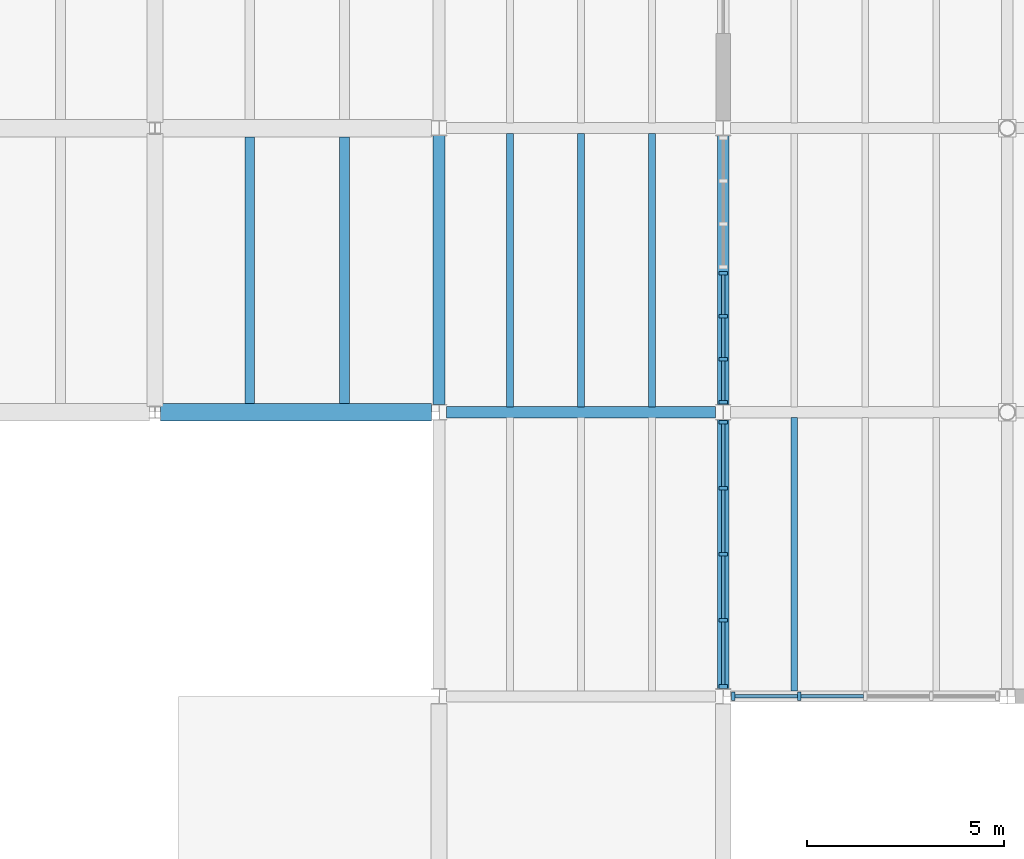
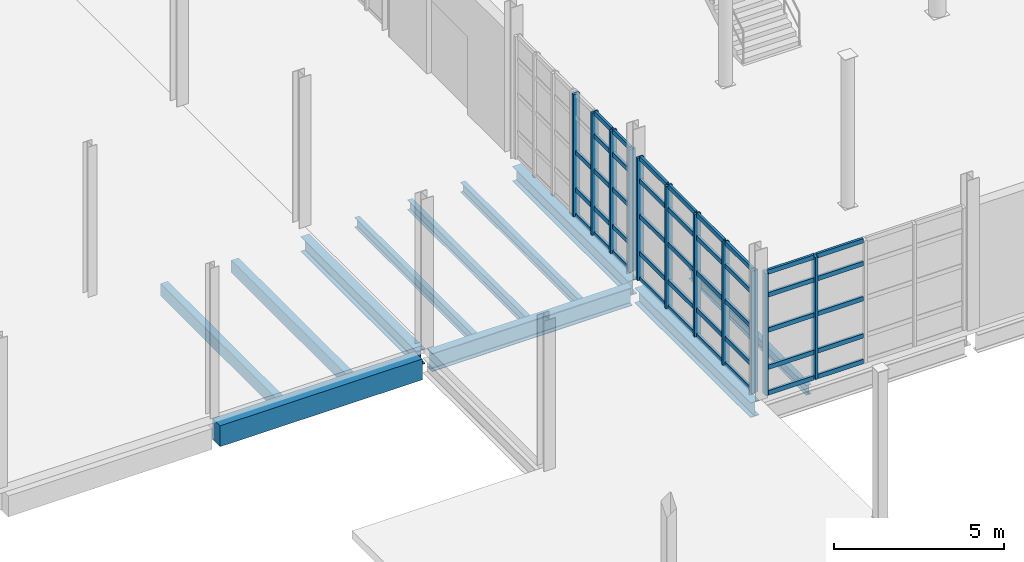
# One storey, part 20 of 79: 54 members, 11 beams, 3 elements without a shape of their own.
"""IFC4 building model written with IfcOpenShell, lengths in metres."""

from ifc_helpers import new_model, si_unit, direction, frame, origin, origin_2d, place, context, subcontext, project, spatial, rectangle, i_section, extrude, material, material_profile, profile_set, type_object, element, aggregate, save


model = new_model("IFC4")

# Units and contexts
model_context = context("Model", 3, precision=1e-05, world=origin(), true_north=direction((0.0, 1.0)))
body_context = subcontext(model_context, "Body", "Model", "MODEL_VIEW")
ifc_project = project(units=[si_unit("LENGTHUNIT", "METRE"), si_unit("AREAUNIT", "SQUARE_METRE"), si_unit("VOLUMEUNIT", "CUBIC_METRE"), si_unit("PLANEANGLEUNIT", "RADIAN"), si_unit("MASSUNIT", "GRAM", prefix="KILO")], contexts=[model_context])

# Site, building, storey
site_placement = place(None, origin())
site = spatial("IfcSite", under=ifc_project, at=site_placement, CompositionType="ELEMENT")
building_placement = place(site_placement, origin())
building = spatial("IfcBuilding", under=site, at=building_placement, Name="Qiaolan Assembly House", CompositionType="ELEMENT")
storey_placement = place(building_placement, origin())
storey = spatial("IfcBuildingStorey", under=building, at=storey_placement, Name="L00", CompositionType="ELEMENT", Elevation=0.0)

# Beams
ifc_material_1 = material(Name="Concrete C40/50", Category="concrete")
ifc_material_profile_1 = material_profile(ifc_material_1, rectangle(XDim=0.449951171875, YDim=0.75, at=origin_2d()), Name="RCB 450x750")
ifc_profile_set_1 = profile_set([ifc_material_profile_1], Name="Concrete C40/50")
beam_type_1 = type_object("IfcBeamType", Name="BM-RC-450x750", PredefinedType="BEAM", material=ifc_profile_set_1)
beam_1_placement = place(storey_placement, frame((14.5400390625, 43.199951171875, -0.675048828125), z_axis=(1.0, 0.0, 0.0), x_axis=(0.0, 1.0, 0.0)))
element("IfcBeam", 1, at=beam_1_placement, inside=storey, type_object=beam_type_1, Name="GB-04 beam BMX-PT0-L00-02-00", PredefinedType="BEAM", context=body_context, shape_type="SweptSolid", body=[
    extrude(rectangle(XDim=0.449951171875, YDim=0.75, at=origin_2d()), origin(), (0.0, 0.0, 1.0), 6.869873046875),
])
ifc_material_2 = material(Name="Steel Q355B", Category="steel")
ifc_material_profile_2 = material_profile(ifc_material_2, i_section(OverallWidth=0.300048828125, OverallDepth=0.5400390625, WebThickness=0.010986328125, FlangeThickness=0.01806640625, FilletRadius=0.02001953125, at=origin_2d()), Name="HM 540x300x11x18")
ifc_profile_set_2 = profile_set([ifc_material_profile_2], Name="Steel Q355B")
beam_type_2 = type_object("IfcBeamType", Name="BM-STL-HM540", PredefinedType="BEAM", material=ifc_profile_set_2)
for number, where, z_axis, x_axis, name in (
    (2, (21.60009765625, 43.389892578125, -0.570068359375), (0.0, 1.0, 0.0), (-1.0, 0.0, 0.0), "SB-12 beam BMY-HL-L00-00-01"),
    (3, (28.800048828125, 36.18994140625, -0.570068359375), (0.0, 1.0, 0.0), (-1.0, 0.0, 0.0), "SB-12 beam BMY-HL-L00-01-00"),
    (4, (28.800048828125, 43.389892578125, -0.570068359375), (0.0, 1.0, 0.0), (-1.0, 0.0, 0.0), "SB-12 beam BMY-HL-L00-01-01"),
):
    element("IfcBeam", number, at=place(storey_placement, frame(where, z_axis=z_axis, x_axis=x_axis)), inside=storey, type_object=beam_type_2, Name=name, PredefinedType="BEAM", context=body_context, shape_type="SweptSolid", body=[
        extrude(i_section(OverallWidth=0.300048828125, OverallDepth=0.5400390625, WebThickness=0.010986328125, FlangeThickness=0.01806640625, FilletRadius=0.02001953125, at=origin_2d()), origin(), (0.0, 0.0, 1.0), 6.820068359375),
    ])
ifc_material_profile_3 = material_profile(ifc_material_2, i_section(OverallWidth=0.280029296875, OverallDepth=0.64990234375, WebThickness=0.011962890625, FlangeThickness=0.02197265625, FilletRadius=0.02197265625, at=origin_2d()), Name="HN 650x280x12x22")
ifc_profile_set_3 = profile_set([ifc_material_profile_3], Name="Steel Q355B")
beam_type_3 = type_object("IfcBeamType", Name="BM-STL-HN650", PredefinedType="BEAM", material=ifc_profile_set_3)
beam_2_placement = place(storey_placement, frame((21.7900390625, 43.199951171875, -0.625), z_axis=(1.0, 0.0, 0.0), x_axis=(0.0, 1.0, 0.0)))
element("IfcBeam", 5, at=beam_2_placement, inside=storey, type_object=beam_type_3, Name="SB-10 beam BMX-HL-L00-00-01", PredefinedType="BEAM", context=body_context, shape_type="SweptSolid", body=[
    extrude(i_section(OverallWidth=0.280029296875, OverallDepth=0.64990234375, WebThickness=0.011962890625, FlangeThickness=0.02197265625, FilletRadius=0.02197265625, at=origin_2d()), origin(), (0.0, 0.0, 1.0), 6.820068359375),
])

# Curtain wall, members
ifc_material_3 = material(Name="Anodised bronze aluminium", Category="aluminium")
curtain_wall_type = type_object("IfcCurtainWallType", Name="CW-HALL-MAIN-540", PredefinedType="NOTDEFINED", material=ifc_material_3)
curtain_wall_1_placement = place(storey_placement, origin())
curtain_wall_1 = element("IfcCurtainWall", 6, at=curtain_wall_1_placement, inside=storey, type_object=curtain_wall_type, Name="CW-01 Hall West facade L00-0", PredefinedType="NOTDEFINED")
ifc_material_profile_4 = material_profile(ifc_material_3, rectangle(XDim=0.092041015625, YDim=0.219970703125, at=origin_2d()), Name="MUL 92x220")
ifc_profile_set_4 = profile_set([ifc_material_profile_4], Name="Anodised bronze aluminium")
member_type_1 = type_object("IfcMemberType", Name="CW-HALL-MAIN-540-MUL", PredefinedType="MULLION", material=ifc_profile_set_4)
member_1_placement = place(storey_placement, frame((28.800048828125, 36.25, 0.0), z_axis=(0.0, 0.0, 1.0), x_axis=(0.0, 1.0, 0.0)))
member_1 = element("IfcMember", 7, at=member_1_placement, type_object=member_type_1, Name="ML-01 mullion CW-HALL-W-L00-0-1", PredefinedType="MULLION", context=body_context, shape_type="SweptSolid", body=[
    extrude(rectangle(XDim=0.092041015625, YDim=0.219970703125, at=origin_2d()), origin(), (0.0, 0.0, 1.0), 4.39990234375),
])
member_2_placement = place(storey_placement, frame((28.800048828125, 37.925048828125, 0.0), z_axis=(0.0, 0.0, 1.0), x_axis=(0.0, 1.0, 0.0)))
member_2 = element("IfcMember", 8, at=member_2_placement, type_object=member_type_1, Name="ML-01 mullion CW-HALL-W-L00-0-2", PredefinedType="MULLION", context=body_context, shape_type="SweptSolid", body=[
    extrude(rectangle(XDim=0.092041015625, YDim=0.219970703125, at=origin_2d()), origin(), (0.0, 0.0, 1.0), 4.39990234375),
])
member_3_placement = place(storey_placement, frame((28.800048828125, 39.60009765625, 0.0), z_axis=(0.0, 0.0, 1.0), x_axis=(0.0, 1.0, 0.0)))
member_3 = element("IfcMember", 9, at=member_3_placement, type_object=member_type_1, Name="ML-01 mullion CW-HALL-W-L00-0-3", PredefinedType="MULLION", context=body_context, shape_type="SweptSolid", body=[
    extrude(rectangle(XDim=0.092041015625, YDim=0.219970703125, at=origin_2d()), origin(), (0.0, 0.0, 1.0), 4.39990234375),
])
member_4_placement = place(storey_placement, frame((28.800048828125, 41.27490234375, 0.0), z_axis=(0.0, 0.0, 1.0), x_axis=(0.0, 1.0, 0.0)))
member_4 = element("IfcMember", 10, at=member_4_placement, type_object=member_type_1, Name="ML-01 mullion CW-HALL-W-L00-0-4", PredefinedType="MULLION", context=body_context, shape_type="SweptSolid", body=[
    extrude(rectangle(XDim=0.092041015625, YDim=0.219970703125, at=origin_2d()), origin(), (0.0, 0.0, 1.0), 4.39990234375),
])
member_5_placement = place(storey_placement, frame((28.800048828125, 42.949951171875, 0.0), z_axis=(0.0, 0.0, 1.0), x_axis=(0.0, 1.0, 0.0)))
member_5 = element("IfcMember", 11, at=member_5_placement, type_object=member_type_1, Name="ML-01 mullion CW-HALL-W-L00-0-5", PredefinedType="MULLION", context=body_context, shape_type="SweptSolid", body=[
    extrude(rectangle(XDim=0.092041015625, YDim=0.219970703125, at=origin_2d()), origin(), (0.0, 0.0, 1.0), 4.39990234375),
])

curtain_wall_2_placement = place(storey_placement, origin())
curtain_wall_2 = element("IfcCurtainWall", 12, at=curtain_wall_2_placement, inside=storey, type_object=curtain_wall_type, Name="CW-01 Hall West facade L00-1A", PredefinedType="NOTDEFINED")
member_6_placement = place(storey_placement, frame((28.800048828125, 43.449951171875, 0.0), z_axis=(0.0, 0.0, 1.0), x_axis=(0.0, 1.0, 0.0)))
member_6 = element("IfcMember", 13, at=member_6_placement, type_object=member_type_1, Name="ML-01 mullion CW-HALL-W-L00-1A-1", PredefinedType="MULLION", context=body_context, shape_type="SweptSolid", body=[
    extrude(rectangle(XDim=0.092041015625, YDim=0.219970703125, at=origin_2d()), origin(), (0.0, 0.0, 1.0), 4.39990234375),
])
member_7_placement = place(storey_placement, frame((28.800048828125, 44.5400390625, 0.0), z_axis=(0.0, 0.0, 1.0), x_axis=(0.0, 1.0, 0.0)))
member_7 = element("IfcMember", 14, at=member_7_placement, type_object=member_type_1, Name="ML-01 mullion CW-HALL-W-L00-1A-2", PredefinedType="MULLION", context=body_context, shape_type="SweptSolid", body=[
    extrude(rectangle(XDim=0.092041015625, YDim=0.219970703125, at=origin_2d()), origin(), (0.0, 0.0, 1.0), 4.39990234375),
])
member_8_placement = place(storey_placement, frame((28.800048828125, 45.6298828125, 0.0), z_axis=(0.0, 0.0, 1.0), x_axis=(0.0, 1.0, 0.0)))
member_8 = element("IfcMember", 15, at=member_8_placement, type_object=member_type_1, Name="ML-01 mullion CW-HALL-W-L00-1A-3", PredefinedType="MULLION", context=body_context, shape_type="SweptSolid", body=[
    extrude(rectangle(XDim=0.092041015625, YDim=0.219970703125, at=origin_2d()), origin(), (0.0, 0.0, 1.0), 4.39990234375),
])
member_9_placement = place(storey_placement, frame((28.800048828125, 46.719970703125, 0.0), z_axis=(0.0, 0.0, 1.0), x_axis=(0.0, 1.0, 0.0)))
member_9 = element("IfcMember", 16, at=member_9_placement, type_object=member_type_1, Name="ML-01 mullion CW-HALL-W-L00-1A-4", PredefinedType="MULLION", context=body_context, shape_type="SweptSolid", body=[
    extrude(rectangle(XDim=0.092041015625, YDim=0.219970703125, at=origin_2d()), origin(), (0.0, 0.0, 1.0), 4.39990234375),
])

curtain_wall_3_placement = place(storey_placement, origin())
curtain_wall_3 = element("IfcCurtainWall", 17, at=curtain_wall_3_placement, inside=storey, type_object=curtain_wall_type, Name="CW-01 Hall South plaza curtain wall L00-1", PredefinedType="NOTDEFINED")
member_10_placement = place(storey_placement, frame((29.050048828125, 36.0, 0.0), z_axis=(0.0, 0.0, 1.0), x_axis=(1.0, 0.0, 0.0)))
member_10 = element("IfcMember", 18, at=member_10_placement, type_object=member_type_1, Name="ML-01 mullion CW-HALL-S-L00-00-1", PredefinedType="MULLION", context=body_context, shape_type="SweptSolid", body=[
    extrude(rectangle(XDim=0.092041015625, YDim=0.219970703125, at=origin_2d()), origin(), (0.0, 0.0, 1.0), 4.39990234375),
])
member_11_placement = place(storey_placement, frame((30.72509765625, 36.0, 0.0), z_axis=(0.0, 0.0, 1.0), x_axis=(1.0, 0.0, 0.0)))
member_11 = element("IfcMember", 19, at=member_11_placement, type_object=member_type_1, Name="ML-01 mullion CW-HALL-S-L00-00-2", PredefinedType="MULLION", context=body_context, shape_type="SweptSolid", body=[
    extrude(rectangle(XDim=0.092041015625, YDim=0.219970703125, at=origin_2d()), origin(), (0.0, 0.0, 1.0), 4.39990234375),
])

# Member
ifc_material_profile_5 = material_profile(ifc_material_3, rectangle(XDim=0.08203125, YDim=0.159912109375, at=origin_2d()), Name="TRN 82x160")
ifc_profile_set_5 = profile_set([ifc_material_profile_5], Name="Anodised bronze aluminium")
member_type_2 = type_object("IfcMemberType", Name="CW-HALL-MAIN-540-TRN", PredefinedType="USERDEFINED", material=ifc_profile_set_5)
member_12_placement = place(storey_placement, frame((28.800048828125, 36.2958984375, 0.030029296875), z_axis=(0.0, 1.0, 0.0), x_axis=(-1.0, 0.0, 0.0)))
member_12 = element("IfcMember", 20, at=member_12_placement, type_object=member_type_2, Name="TR-01 transom CW-HALL-W-L00-0-1-1", ObjectType="TRANSOM", PredefinedType="USERDEFINED", context=body_context, shape_type="SweptSolid", body=[
    extrude(rectangle(XDim=0.08203125, YDim=0.159912109375, at=origin_2d()), origin(), (0.0, 0.0, 1.0), 1.5830078125),
])

member_13_placement = place(storey_placement, frame((28.800048828125, 36.2958984375, 0.949951171875), z_axis=(0.0, 1.0, 0.0), x_axis=(-1.0, 0.0, 0.0)))
member_13 = element("IfcMember", 21, at=member_13_placement, type_object=member_type_2, Name="TR-01 transom CW-HALL-W-L00-0-1-2", ObjectType="TRANSOM", PredefinedType="USERDEFINED", context=body_context, shape_type="SweptSolid", body=[
    extrude(rectangle(XDim=0.08203125, YDim=0.159912109375, at=origin_2d()), origin(), (0.0, 0.0, 1.0), 1.5830078125),
])

member_14_placement = place(storey_placement, frame((28.800048828125, 36.2958984375, 2.2880859375), z_axis=(0.0, 1.0, 0.0), x_axis=(-1.0, 0.0, 0.0)))
member_14 = element("IfcMember", 22, at=member_14_placement, type_object=member_type_2, Name="TR-01 transom CW-HALL-W-L00-0-1-3", ObjectType="TRANSOM", PredefinedType="USERDEFINED", context=body_context, shape_type="SweptSolid", body=[
    extrude(rectangle(XDim=0.08203125, YDim=0.159912109375, at=origin_2d()), origin(), (0.0, 0.0, 1.0), 1.5830078125),
])

member_15_placement = place(storey_placement, frame((28.800048828125, 36.2958984375, 3.550048828125), z_axis=(0.0, 1.0, 0.0), x_axis=(-1.0, 0.0, 0.0)))
member_15 = element("IfcMember", 23, at=member_15_placement, type_object=member_type_2, Name="TR-01 transom CW-HALL-W-L00-0-1-4", ObjectType="TRANSOM", PredefinedType="USERDEFINED", context=body_context, shape_type="SweptSolid", body=[
    extrude(rectangle(XDim=0.08203125, YDim=0.159912109375, at=origin_2d()), origin(), (0.0, 0.0, 1.0), 1.5830078125),
])

member_16_placement = place(storey_placement, frame((28.800048828125, 36.2958984375, 4.3701171875), z_axis=(0.0, 1.0, 0.0), x_axis=(-1.0, 0.0, 0.0)))
member_16 = element("IfcMember", 24, at=member_16_placement, type_object=member_type_2, Name="TR-01 transom CW-HALL-W-L00-0-1-5", ObjectType="TRANSOM", PredefinedType="USERDEFINED", context=body_context, shape_type="SweptSolid", body=[
    extrude(rectangle(XDim=0.08203125, YDim=0.159912109375, at=origin_2d()), origin(), (0.0, 0.0, 1.0), 1.5830078125),
])

member_17_placement = place(storey_placement, frame((28.800048828125, 37.970947265625, 0.030029296875), z_axis=(0.0, 1.0, 0.0), x_axis=(-1.0, 0.0, 0.0)))
member_17 = element("IfcMember", 25, at=member_17_placement, type_object=member_type_2, Name="TR-01 transom CW-HALL-W-L00-0-2-1", ObjectType="TRANSOM", PredefinedType="USERDEFINED", context=body_context, shape_type="SweptSolid", body=[
    extrude(rectangle(XDim=0.08203125, YDim=0.159912109375, at=origin_2d()), origin(), (0.0, 0.0, 1.0), 1.5830078125),
])

member_18_placement = place(storey_placement, frame((28.800048828125, 37.970947265625, 0.949951171875), z_axis=(0.0, 1.0, 0.0), x_axis=(-1.0, 0.0, 0.0)))
member_18 = element("IfcMember", 26, at=member_18_placement, type_object=member_type_2, Name="TR-01 transom CW-HALL-W-L00-0-2-2", ObjectType="TRANSOM", PredefinedType="USERDEFINED", context=body_context, shape_type="SweptSolid", body=[
    extrude(rectangle(XDim=0.08203125, YDim=0.159912109375, at=origin_2d()), origin(), (0.0, 0.0, 1.0), 1.5830078125),
])

member_19_placement = place(storey_placement, frame((28.800048828125, 37.970947265625, 2.2880859375), z_axis=(0.0, 1.0, 0.0), x_axis=(-1.0, 0.0, 0.0)))
member_19 = element("IfcMember", 27, at=member_19_placement, type_object=member_type_2, Name="TR-01 transom CW-HALL-W-L00-0-2-3", ObjectType="TRANSOM", PredefinedType="USERDEFINED", context=body_context, shape_type="SweptSolid", body=[
    extrude(rectangle(XDim=0.08203125, YDim=0.159912109375, at=origin_2d()), origin(), (0.0, 0.0, 1.0), 1.5830078125),
])

member_20_placement = place(storey_placement, frame((28.800048828125, 37.970947265625, 3.550048828125), z_axis=(0.0, 1.0, 0.0), x_axis=(-1.0, 0.0, 0.0)))
member_20 = element("IfcMember", 28, at=member_20_placement, type_object=member_type_2, Name="TR-01 transom CW-HALL-W-L00-0-2-4", ObjectType="TRANSOM", PredefinedType="USERDEFINED", context=body_context, shape_type="SweptSolid", body=[
    extrude(rectangle(XDim=0.08203125, YDim=0.159912109375, at=origin_2d()), origin(), (0.0, 0.0, 1.0), 1.5830078125),
])

member_21_placement = place(storey_placement, frame((28.800048828125, 37.970947265625, 4.3701171875), z_axis=(0.0, 1.0, 0.0), x_axis=(-1.0, 0.0, 0.0)))
member_21 = element("IfcMember", 29, at=member_21_placement, type_object=member_type_2, Name="TR-01 transom CW-HALL-W-L00-0-2-5", ObjectType="TRANSOM", PredefinedType="USERDEFINED", context=body_context, shape_type="SweptSolid", body=[
    extrude(rectangle(XDim=0.08203125, YDim=0.159912109375, at=origin_2d()), origin(), (0.0, 0.0, 1.0), 1.5830078125),
])

member_22_placement = place(storey_placement, frame((28.800048828125, 39.64599609375, 0.030029296875), z_axis=(0.0, 1.0, 0.0), x_axis=(-1.0, 0.0, 0.0)))
member_22 = element("IfcMember", 30, at=member_22_placement, type_object=member_type_2, Name="TR-01 transom CW-HALL-W-L00-0-3-1", ObjectType="TRANSOM", PredefinedType="USERDEFINED", context=body_context, shape_type="SweptSolid", body=[
    extrude(rectangle(XDim=0.08203125, YDim=0.159912109375, at=origin_2d()), origin(), (0.0, 0.0, 1.0), 1.5830078125),
])

member_23_placement = place(storey_placement, frame((28.800048828125, 39.64599609375, 0.949951171875), z_axis=(0.0, 1.0, 0.0), x_axis=(-1.0, 0.0, 0.0)))
member_23 = element("IfcMember", 31, at=member_23_placement, type_object=member_type_2, Name="TR-01 transom CW-HALL-W-L00-0-3-2", ObjectType="TRANSOM", PredefinedType="USERDEFINED", context=body_context, shape_type="SweptSolid", body=[
    extrude(rectangle(XDim=0.08203125, YDim=0.159912109375, at=origin_2d()), origin(), (0.0, 0.0, 1.0), 1.5830078125),
])

member_24_placement = place(storey_placement, frame((28.800048828125, 39.64599609375, 2.2880859375), z_axis=(0.0, 1.0, 0.0), x_axis=(-1.0, 0.0, 0.0)))
member_24 = element("IfcMember", 32, at=member_24_placement, type_object=member_type_2, Name="TR-01 transom CW-HALL-W-L00-0-3-3", ObjectType="TRANSOM", PredefinedType="USERDEFINED", context=body_context, shape_type="SweptSolid", body=[
    extrude(rectangle(XDim=0.08203125, YDim=0.159912109375, at=origin_2d()), origin(), (0.0, 0.0, 1.0), 1.5830078125),
])

member_25_placement = place(storey_placement, frame((28.800048828125, 39.64599609375, 3.550048828125), z_axis=(0.0, 1.0, 0.0), x_axis=(-1.0, 0.0, 0.0)))
member_25 = element("IfcMember", 33, at=member_25_placement, type_object=member_type_2, Name="TR-01 transom CW-HALL-W-L00-0-3-4", ObjectType="TRANSOM", PredefinedType="USERDEFINED", context=body_context, shape_type="SweptSolid", body=[
    extrude(rectangle(XDim=0.08203125, YDim=0.159912109375, at=origin_2d()), origin(), (0.0, 0.0, 1.0), 1.5830078125),
])

member_26_placement = place(storey_placement, frame((28.800048828125, 39.64599609375, 4.3701171875), z_axis=(0.0, 1.0, 0.0), x_axis=(-1.0, 0.0, 0.0)))
member_26 = element("IfcMember", 34, at=member_26_placement, type_object=member_type_2, Name="TR-01 transom CW-HALL-W-L00-0-3-5", ObjectType="TRANSOM", PredefinedType="USERDEFINED", context=body_context, shape_type="SweptSolid", body=[
    extrude(rectangle(XDim=0.08203125, YDim=0.159912109375, at=origin_2d()), origin(), (0.0, 0.0, 1.0), 1.5830078125),
])

member_27_placement = place(storey_placement, frame((28.800048828125, 41.321044921875, 0.030029296875), z_axis=(0.0, 1.0, 0.0), x_axis=(-1.0, 0.0, 0.0)))
member_27 = element("IfcMember", 35, at=member_27_placement, type_object=member_type_2, Name="TR-01 transom CW-HALL-W-L00-0-4-1", ObjectType="TRANSOM", PredefinedType="USERDEFINED", context=body_context, shape_type="SweptSolid", body=[
    extrude(rectangle(XDim=0.08203125, YDim=0.159912109375, at=origin_2d()), origin(), (0.0, 0.0, 1.0), 1.5830078125),
])

member_28_placement = place(storey_placement, frame((28.800048828125, 41.321044921875, 0.949951171875), z_axis=(0.0, 1.0, 0.0), x_axis=(-1.0, 0.0, 0.0)))
member_28 = element("IfcMember", 36, at=member_28_placement, type_object=member_type_2, Name="TR-01 transom CW-HALL-W-L00-0-4-2", ObjectType="TRANSOM", PredefinedType="USERDEFINED", context=body_context, shape_type="SweptSolid", body=[
    extrude(rectangle(XDim=0.08203125, YDim=0.159912109375, at=origin_2d()), origin(), (0.0, 0.0, 1.0), 1.5830078125),
])

member_29_placement = place(storey_placement, frame((28.800048828125, 41.321044921875, 2.2880859375), z_axis=(0.0, 1.0, 0.0), x_axis=(-1.0, 0.0, 0.0)))
member_29 = element("IfcMember", 37, at=member_29_placement, type_object=member_type_2, Name="TR-01 transom CW-HALL-W-L00-0-4-3", ObjectType="TRANSOM", PredefinedType="USERDEFINED", context=body_context, shape_type="SweptSolid", body=[
    extrude(rectangle(XDim=0.08203125, YDim=0.159912109375, at=origin_2d()), origin(), (0.0, 0.0, 1.0), 1.5830078125),
])

member_30_placement = place(storey_placement, frame((28.800048828125, 41.321044921875, 3.550048828125), z_axis=(0.0, 1.0, 0.0), x_axis=(-1.0, 0.0, 0.0)))
member_30 = element("IfcMember", 38, at=member_30_placement, type_object=member_type_2, Name="TR-01 transom CW-HALL-W-L00-0-4-4", ObjectType="TRANSOM", PredefinedType="USERDEFINED", context=body_context, shape_type="SweptSolid", body=[
    extrude(rectangle(XDim=0.08203125, YDim=0.159912109375, at=origin_2d()), origin(), (0.0, 0.0, 1.0), 1.5830078125),
])

member_31_placement = place(storey_placement, frame((28.800048828125, 41.321044921875, 4.3701171875), z_axis=(0.0, 1.0, 0.0), x_axis=(-1.0, 0.0, 0.0)))
member_31 = element("IfcMember", 39, at=member_31_placement, type_object=member_type_2, Name="TR-01 transom CW-HALL-W-L00-0-4-5", ObjectType="TRANSOM", PredefinedType="USERDEFINED", context=body_context, shape_type="SweptSolid", body=[
    extrude(rectangle(XDim=0.08203125, YDim=0.159912109375, at=origin_2d()), origin(), (0.0, 0.0, 1.0), 1.5830078125),
])

aggregate(curtain_wall_1, [member_1, member_2, member_3, member_4, member_5, member_12, member_13, member_14, member_15, member_16, member_17, member_18, member_19, member_20, member_21, member_22, member_23, member_24, member_25, member_26, member_27, member_28, member_29, member_30, member_31])

member_32_placement = place(storey_placement, frame((28.800048828125, 43.49609375, 0.030029296875), z_axis=(0.0, 1.0, 0.0), x_axis=(-1.0, 0.0, 0.0)))
member_32 = element("IfcMember", 40, at=member_32_placement, type_object=member_type_2, Name="TR-01 transom CW-HALL-W-L00-1A-1-1", ObjectType="TRANSOM", PredefinedType="USERDEFINED", context=body_context, shape_type="SweptSolid", body=[
    extrude(rectangle(XDim=0.08203125, YDim=0.159912109375, at=origin_2d()), origin(), (0.0, 0.0, 1.0), 0.997802734375),
])

member_33_placement = place(storey_placement, frame((28.800048828125, 43.49609375, 0.949951171875), z_axis=(0.0, 1.0, 0.0), x_axis=(-1.0, 0.0, 0.0)))
member_33 = element("IfcMember", 41, at=member_33_placement, type_object=member_type_2, Name="TR-01 transom CW-HALL-W-L00-1A-1-2", ObjectType="TRANSOM", PredefinedType="USERDEFINED", context=body_context, shape_type="SweptSolid", body=[
    extrude(rectangle(XDim=0.08203125, YDim=0.159912109375, at=origin_2d()), origin(), (0.0, 0.0, 1.0), 0.997802734375),
])

member_34_placement = place(storey_placement, frame((28.800048828125, 43.49609375, 2.2880859375), z_axis=(0.0, 1.0, 0.0), x_axis=(-1.0, 0.0, 0.0)))
member_34 = element("IfcMember", 42, at=member_34_placement, type_object=member_type_2, Name="TR-01 transom CW-HALL-W-L00-1A-1-3", ObjectType="TRANSOM", PredefinedType="USERDEFINED", context=body_context, shape_type="SweptSolid", body=[
    extrude(rectangle(XDim=0.08203125, YDim=0.159912109375, at=origin_2d()), origin(), (0.0, 0.0, 1.0), 0.997802734375),
])

member_35_placement = place(storey_placement, frame((28.800048828125, 43.49609375, 3.550048828125), z_axis=(0.0, 1.0, 0.0), x_axis=(-1.0, 0.0, 0.0)))
member_35 = element("IfcMember", 43, at=member_35_placement, type_object=member_type_2, Name="TR-01 transom CW-HALL-W-L00-1A-1-4", ObjectType="TRANSOM", PredefinedType="USERDEFINED", context=body_context, shape_type="SweptSolid", body=[
    extrude(rectangle(XDim=0.08203125, YDim=0.159912109375, at=origin_2d()), origin(), (0.0, 0.0, 1.0), 0.997802734375),
])

member_36_placement = place(storey_placement, frame((28.800048828125, 43.49609375, 4.3701171875), z_axis=(0.0, 1.0, 0.0), x_axis=(-1.0, 0.0, 0.0)))
member_36 = element("IfcMember", 44, at=member_36_placement, type_object=member_type_2, Name="TR-01 transom CW-HALL-W-L00-1A-1-5", ObjectType="TRANSOM", PredefinedType="USERDEFINED", context=body_context, shape_type="SweptSolid", body=[
    extrude(rectangle(XDim=0.08203125, YDim=0.159912109375, at=origin_2d()), origin(), (0.0, 0.0, 1.0), 0.997802734375),
])

member_37_placement = place(storey_placement, frame((28.800048828125, 44.5859375, 0.030029296875), z_axis=(0.0, 1.0, 0.0), x_axis=(-1.0, 0.0, 0.0)))
member_37 = element("IfcMember", 45, at=member_37_placement, type_object=member_type_2, Name="TR-01 transom CW-HALL-W-L00-1A-2-1", ObjectType="TRANSOM", PredefinedType="USERDEFINED", context=body_context, shape_type="SweptSolid", body=[
    extrude(rectangle(XDim=0.08203125, YDim=0.159912109375, at=origin_2d()), origin(), (0.0, 0.0, 1.0), 0.998046875),
])

member_38_placement = place(storey_placement, frame((28.800048828125, 44.5859375, 0.949951171875), z_axis=(0.0, 1.0, 0.0), x_axis=(-1.0, 0.0, 0.0)))
member_38 = element("IfcMember", 46, at=member_38_placement, type_object=member_type_2, Name="TR-01 transom CW-HALL-W-L00-1A-2-2", ObjectType="TRANSOM", PredefinedType="USERDEFINED", context=body_context, shape_type="SweptSolid", body=[
    extrude(rectangle(XDim=0.08203125, YDim=0.159912109375, at=origin_2d()), origin(), (0.0, 0.0, 1.0), 0.998046875),
])

member_39_placement = place(storey_placement, frame((28.800048828125, 44.5859375, 2.2880859375), z_axis=(0.0, 1.0, 0.0), x_axis=(-1.0, 0.0, 0.0)))
member_39 = element("IfcMember", 47, at=member_39_placement, type_object=member_type_2, Name="TR-01 transom CW-HALL-W-L00-1A-2-3", ObjectType="TRANSOM", PredefinedType="USERDEFINED", context=body_context, shape_type="SweptSolid", body=[
    extrude(rectangle(XDim=0.08203125, YDim=0.159912109375, at=origin_2d()), origin(), (0.0, 0.0, 1.0), 0.998046875),
])

member_40_placement = place(storey_placement, frame((28.800048828125, 44.5859375, 3.550048828125), z_axis=(0.0, 1.0, 0.0), x_axis=(-1.0, 0.0, 0.0)))
member_40 = element("IfcMember", 48, at=member_40_placement, type_object=member_type_2, Name="TR-01 transom CW-HALL-W-L00-1A-2-4", ObjectType="TRANSOM", PredefinedType="USERDEFINED", context=body_context, shape_type="SweptSolid", body=[
    extrude(rectangle(XDim=0.08203125, YDim=0.159912109375, at=origin_2d()), origin(), (0.0, 0.0, 1.0), 0.998046875),
])

member_41_placement = place(storey_placement, frame((28.800048828125, 44.5859375, 4.3701171875), z_axis=(0.0, 1.0, 0.0), x_axis=(-1.0, 0.0, 0.0)))
member_41 = element("IfcMember", 49, at=member_41_placement, type_object=member_type_2, Name="TR-01 transom CW-HALL-W-L00-1A-2-5", ObjectType="TRANSOM", PredefinedType="USERDEFINED", context=body_context, shape_type="SweptSolid", body=[
    extrude(rectangle(XDim=0.08203125, YDim=0.159912109375, at=origin_2d()), origin(), (0.0, 0.0, 1.0), 0.998046875),
])

member_42_placement = place(storey_placement, frame((28.800048828125, 45.676025390625, 0.030029296875), z_axis=(0.0, 1.0, 0.0), x_axis=(-1.0, 0.0, 0.0)))
member_42 = element("IfcMember", 50, at=member_42_placement, type_object=member_type_2, Name="TR-01 transom CW-HALL-W-L00-1A-3-1", ObjectType="TRANSOM", PredefinedType="USERDEFINED", context=body_context, shape_type="SweptSolid", body=[
    extrude(rectangle(XDim=0.08203125, YDim=0.159912109375, at=origin_2d()), origin(), (0.0, 0.0, 1.0), 0.998046875),
])

member_43_placement = place(storey_placement, frame((28.800048828125, 45.676025390625, 0.949951171875), z_axis=(0.0, 1.0, 0.0), x_axis=(-1.0, 0.0, 0.0)))
member_43 = element("IfcMember", 51, at=member_43_placement, type_object=member_type_2, Name="TR-01 transom CW-HALL-W-L00-1A-3-2", ObjectType="TRANSOM", PredefinedType="USERDEFINED", context=body_context, shape_type="SweptSolid", body=[
    extrude(rectangle(XDim=0.08203125, YDim=0.159912109375, at=origin_2d()), origin(), (0.0, 0.0, 1.0), 0.998046875),
])

member_44_placement = place(storey_placement, frame((28.800048828125, 45.676025390625, 2.2880859375), z_axis=(0.0, 1.0, 0.0), x_axis=(-1.0, 0.0, 0.0)))
member_44 = element("IfcMember", 52, at=member_44_placement, type_object=member_type_2, Name="TR-01 transom CW-HALL-W-L00-1A-3-3", ObjectType="TRANSOM", PredefinedType="USERDEFINED", context=body_context, shape_type="SweptSolid", body=[
    extrude(rectangle(XDim=0.08203125, YDim=0.159912109375, at=origin_2d()), origin(), (0.0, 0.0, 1.0), 0.998046875),
])

aggregate(curtain_wall_2, [member_6, member_7, member_8, member_9, member_32, member_33, member_34, member_35, member_36, member_37, member_38, member_39, member_40, member_41, member_42, member_43, member_44])

member_45_placement = place(storey_placement, frame((29.095947265625, 36.0, 0.030029296875), z_axis=(1.0, 0.0, 0.0), x_axis=(0.0, 1.0, 0.0)))
member_45 = element("IfcMember", 53, at=member_45_placement, type_object=member_type_2, Name="TR-01 transom CW-HALL-S-L00-00-1-1", ObjectType="TRANSOM", PredefinedType="USERDEFINED", context=body_context, shape_type="SweptSolid", body=[
    extrude(rectangle(XDim=0.08203125, YDim=0.159912109375, at=origin_2d()), origin(), (0.0, 0.0, 1.0), 1.5830078125),
])

member_46_placement = place(storey_placement, frame((29.095947265625, 36.0, 0.949951171875), z_axis=(1.0, 0.0, 0.0), x_axis=(0.0, 1.0, 0.0)))
member_46 = element("IfcMember", 54, at=member_46_placement, type_object=member_type_2, Name="TR-01 transom CW-HALL-S-L00-00-1-2", ObjectType="TRANSOM", PredefinedType="USERDEFINED", context=body_context, shape_type="SweptSolid", body=[
    extrude(rectangle(XDim=0.08203125, YDim=0.159912109375, at=origin_2d()), origin(), (0.0, 0.0, 1.0), 1.5830078125),
])

member_47_placement = place(storey_placement, frame((29.095947265625, 36.0, 2.2880859375), z_axis=(1.0, 0.0, 0.0), x_axis=(0.0, 1.0, 0.0)))
member_47 = element("IfcMember", 55, at=member_47_placement, type_object=member_type_2, Name="TR-01 transom CW-HALL-S-L00-00-1-3", ObjectType="TRANSOM", PredefinedType="USERDEFINED", context=body_context, shape_type="SweptSolid", body=[
    extrude(rectangle(XDim=0.08203125, YDim=0.159912109375, at=origin_2d()), origin(), (0.0, 0.0, 1.0), 1.5830078125),
])

member_48_placement = place(storey_placement, frame((29.095947265625, 36.0, 3.550048828125), z_axis=(1.0, 0.0, 0.0), x_axis=(0.0, 1.0, 0.0)))
member_48 = element("IfcMember", 56, at=member_48_placement, type_object=member_type_2, Name="TR-01 transom CW-HALL-S-L00-00-1-4", ObjectType="TRANSOM", PredefinedType="USERDEFINED", context=body_context, shape_type="SweptSolid", body=[
    extrude(rectangle(XDim=0.08203125, YDim=0.159912109375, at=origin_2d()), origin(), (0.0, 0.0, 1.0), 1.5830078125),
])

member_49_placement = place(storey_placement, frame((29.095947265625, 36.0, 4.3701171875), z_axis=(1.0, 0.0, 0.0), x_axis=(0.0, 1.0, 0.0)))
member_49 = element("IfcMember", 57, at=member_49_placement, type_object=member_type_2, Name="TR-01 transom CW-HALL-S-L00-00-1-5", ObjectType="TRANSOM", PredefinedType="USERDEFINED", context=body_context, shape_type="SweptSolid", body=[
    extrude(rectangle(XDim=0.08203125, YDim=0.159912109375, at=origin_2d()), origin(), (0.0, 0.0, 1.0), 1.5830078125),
])

member_50_placement = place(storey_placement, frame((30.77099609375, 36.0, 0.030029296875), z_axis=(1.0, 0.0, 0.0), x_axis=(0.0, 1.0, 0.0)))
member_50 = element("IfcMember", 58, at=member_50_placement, type_object=member_type_2, Name="TR-01 transom CW-HALL-S-L00-00-2-1", ObjectType="TRANSOM", PredefinedType="USERDEFINED", context=body_context, shape_type="SweptSolid", body=[
    extrude(rectangle(XDim=0.08203125, YDim=0.159912109375, at=origin_2d()), origin(), (0.0, 0.0, 1.0), 1.5830078125),
])

member_51_placement = place(storey_placement, frame((30.77099609375, 36.0, 0.949951171875), z_axis=(1.0, 0.0, 0.0), x_axis=(0.0, 1.0, 0.0)))
member_51 = element("IfcMember", 59, at=member_51_placement, type_object=member_type_2, Name="TR-01 transom CW-HALL-S-L00-00-2-2", ObjectType="TRANSOM", PredefinedType="USERDEFINED", context=body_context, shape_type="SweptSolid", body=[
    extrude(rectangle(XDim=0.08203125, YDim=0.159912109375, at=origin_2d()), origin(), (0.0, 0.0, 1.0), 1.5830078125),
])

member_52_placement = place(storey_placement, frame((30.77099609375, 36.0, 2.2880859375), z_axis=(1.0, 0.0, 0.0), x_axis=(0.0, 1.0, 0.0)))
member_52 = element("IfcMember", 60, at=member_52_placement, type_object=member_type_2, Name="TR-01 transom CW-HALL-S-L00-00-2-3", ObjectType="TRANSOM", PredefinedType="USERDEFINED", context=body_context, shape_type="SweptSolid", body=[
    extrude(rectangle(XDim=0.08203125, YDim=0.159912109375, at=origin_2d()), origin(), (0.0, 0.0, 1.0), 1.5830078125),
])

member_53_placement = place(storey_placement, frame((30.77099609375, 36.0, 3.550048828125), z_axis=(1.0, 0.0, 0.0), x_axis=(0.0, 1.0, 0.0)))
member_53 = element("IfcMember", 61, at=member_53_placement, type_object=member_type_2, Name="TR-01 transom CW-HALL-S-L00-00-2-4", ObjectType="TRANSOM", PredefinedType="USERDEFINED", context=body_context, shape_type="SweptSolid", body=[
    extrude(rectangle(XDim=0.08203125, YDim=0.159912109375, at=origin_2d()), origin(), (0.0, 0.0, 1.0), 1.5830078125),
])

member_54_placement = place(storey_placement, frame((30.77099609375, 36.0, 4.3701171875), z_axis=(1.0, 0.0, 0.0), x_axis=(0.0, 1.0, 0.0)))
member_54 = element("IfcMember", 62, at=member_54_placement, type_object=member_type_2, Name="TR-01 transom CW-HALL-S-L00-00-2-5", ObjectType="TRANSOM", PredefinedType="USERDEFINED", context=body_context, shape_type="SweptSolid", body=[
    extrude(rectangle(XDim=0.08203125, YDim=0.159912109375, at=origin_2d()), origin(), (0.0, 0.0, 1.0), 1.5830078125),
])

aggregate(curtain_wall_3, [member_10, member_11, member_45, member_46, member_47, member_48, member_49, member_50, member_51, member_52, member_53, member_54])

# Beams
ifc_material_profile_6 = material_profile(ifc_material_1, rectangle(XDim=0.25, YDim=0.449951171875, at=origin_2d()), Name="RCB 250x450")
ifc_profile_set_6 = profile_set([ifc_material_profile_6], Name="Concrete C40/50")
beam_type_4 = type_object("IfcBeamType", Name="JST-RC-250x450", PredefinedType="JOIST", material=ifc_profile_set_6)
for number, where, z_axis, x_axis, name in (
    (63, (16.800048828125, 43.4189453125, -0.52490234375), (0.0, 1.0, 0.0), (-1.0, 0.0, 0.0), "RJ-02 beam JST-PT0-L00-02-00-1"),
    (64, (19.199951171875, 43.4189453125, -0.52490234375), (0.0, 1.0, 0.0), (-1.0, 0.0, 0.0), "RJ-02 beam JST-PT0-L00-02-00-2"),
):
    element("IfcBeam", number, at=place(storey_placement, frame(where, z_axis=z_axis, x_axis=x_axis)), inside=storey, type_object=beam_type_4, Name=name, PredefinedType="JOIST", context=body_context, shape_type="SweptSolid", body=[
        extrude(rectangle(XDim=0.25, YDim=0.449951171875, at=origin_2d()), origin(), (0.0, 0.0, 1.0), 6.761962890625),
    ])
ifc_material_profile_7 = material_profile(ifc_material_2, i_section(OverallWidth=0.175048828125, OverallDepth=0.35009765625, WebThickness=0.007080078125, FlangeThickness=0.010986328125, FilletRadius=0.013916015625, at=origin_2d()), Name="HN 350x175x7x11")
ifc_profile_set_7 = profile_set([ifc_material_profile_7], Name="Steel Q355B")
beam_type_5 = type_object("IfcBeamType", Name="JST-STL-HN350", PredefinedType="JOIST", material=ifc_profile_set_7)
for number, where, z_axis, x_axis, name in (
    (65, (23.39990234375, 43.333984375, -0.47509765625), (0.0, 1.0, 0.0), (-1.0, 0.0, 0.0), "SJ-01 beam JST-HL-L00-00-01-1"),
    (66, (25.199951171875, 43.333984375, -0.47509765625), (0.0, 1.0, 0.0), (-1.0, 0.0, 0.0), "SJ-01 beam JST-HL-L00-00-01-2"),
    (67, (27.0, 43.333984375, -0.47509765625), (0.0, 1.0, 0.0), (-1.0, 0.0, 0.0), "SJ-01 beam JST-HL-L00-00-01-3"),
):
    element("IfcBeam", number, at=place(storey_placement, frame(where, z_axis=z_axis, x_axis=x_axis)), inside=storey, type_object=beam_type_5, Name=name, PredefinedType="JOIST", context=body_context, shape_type="SweptSolid", body=[
        extrude(i_section(OverallWidth=0.175048828125, OverallDepth=0.35009765625, WebThickness=0.007080078125, FlangeThickness=0.010986328125, FilletRadius=0.013916015625, at=origin_2d()), origin(), (0.0, 0.0, 1.0), 6.93212890625),
    ])
beam_3_placement = place(storey_placement, frame((30.60009765625, 36.134033203125, -0.47509765625), z_axis=(0.0, 1.0, 0.0), x_axis=(-1.0, 0.0, 0.0)))
element("IfcBeam", 68, at=beam_3_placement, inside=storey, type_object=beam_type_5, Name="SJ-01 beam JST-HL-L00-01-00-1", PredefinedType="JOIST", context=body_context, shape_type="SweptSolid", body=[
    extrude(i_section(OverallWidth=0.175048828125, OverallDepth=0.35009765625, WebThickness=0.007080078125, FlangeThickness=0.010986328125, FilletRadius=0.013916015625, at=origin_2d()), origin(), (0.0, 0.0, 1.0), 6.931884765625),
])

save(model, "model.ifc")
